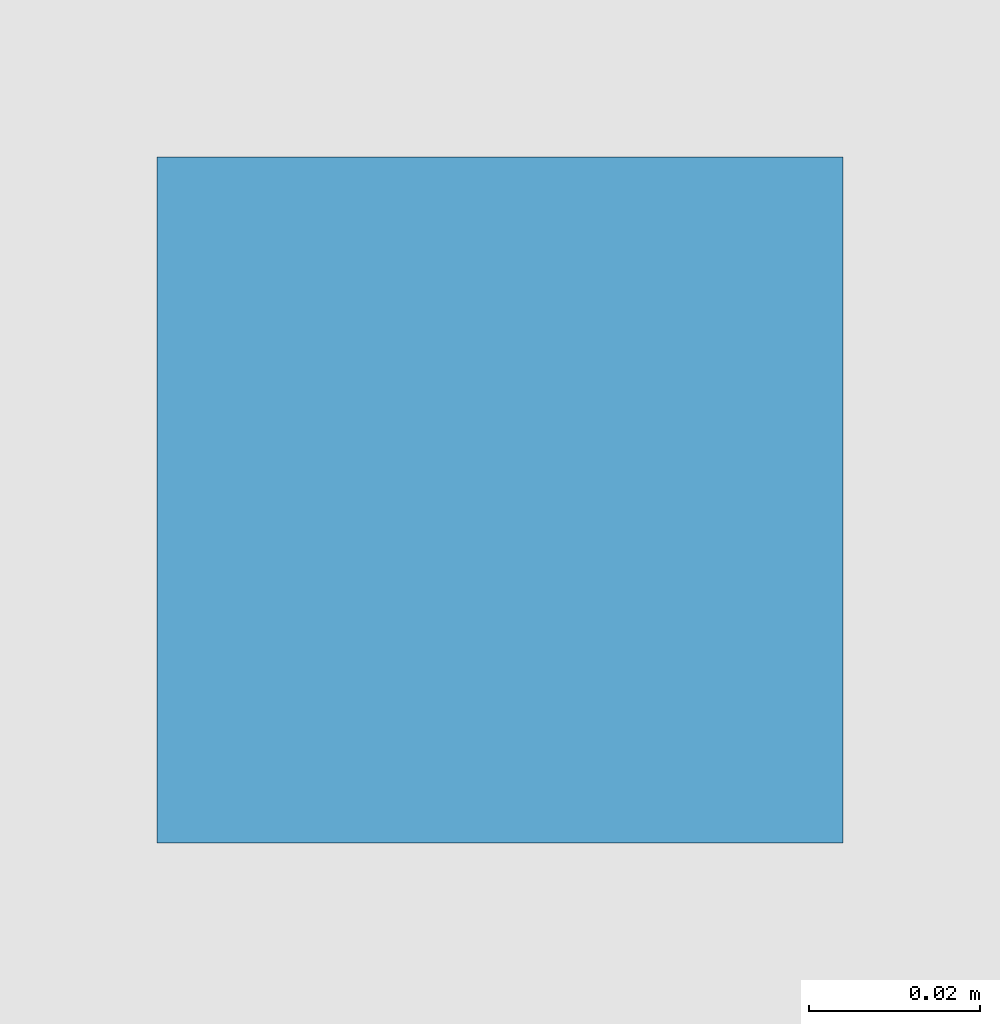
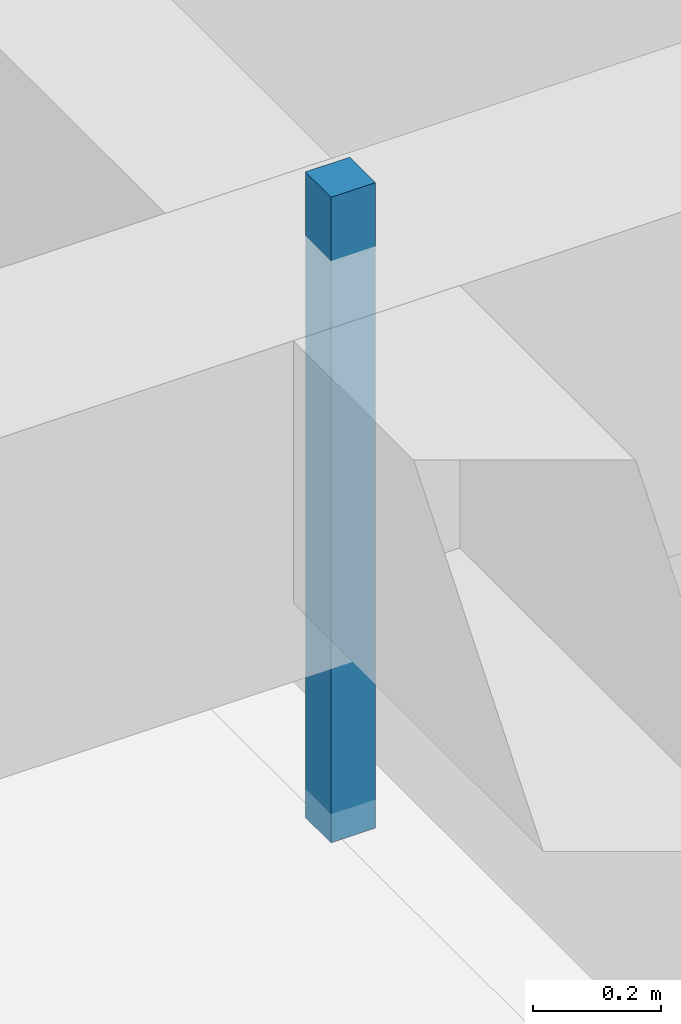
# One storey, part 147 of 163: 1 discrete accessory.
"""IFC4 building model written with IfcOpenShell, lengths in metres."""

from ifc_helpers import new_model, si_unit, direction, frame, origin, origin_2d, place, context, subcontext, project, spatial, rectangle, extrude, material, layer, layer_set, type_object, element, save


model = new_model("IFC4")

# Units and contexts
model_context = context("Model", 3, precision=1e-05, world=origin(), true_north=direction((0.0, 1.0)))
body_context = subcontext(model_context, "Body", "Model", "MODEL_VIEW")
ifc_project = project(units=[si_unit("LENGTHUNIT", "METRE"), si_unit("AREAUNIT", "SQUARE_METRE"), si_unit("VOLUMEUNIT", "CUBIC_METRE"), si_unit("PLANEANGLEUNIT", "RADIAN"), si_unit("MASSUNIT", "GRAM", prefix="KILO")], contexts=[model_context])

# Site, building, storey
site_placement = place(None, origin())
site = spatial("IfcSite", under=ifc_project, at=site_placement, CompositionType="ELEMENT")
building_placement = place(site_placement, origin())
building = spatial("IfcBuilding", under=site, at=building_placement, Name="Varnabhumi Central Station", CompositionType="ELEMENT")
storey_placement = place(building_placement, frame((0.0, 0.0, 9.60009765625)))
storey = spatial("IfcBuildingStorey", under=building, at=storey_placement, Name="L02", CompositionType="ELEMENT", Elevation=9.60009765625)

# Discrete accessory
ifc_material = material(Name="Structural steel E350", Category="steel")
ifc_layer = layer(ifc_material, 0.159912109375, Name="Structural steel E350", Category="steel")
ifc_layer_set = layer_set([ifc_layer], Name="Structural steel E350")
discrete_accessory_type = type_object("IfcDiscreteAccessoryType", Name="ACC-SHADE-BRKT", PredefinedType="BRACKET", material=ifc_layer_set)
discrete_accessory_placement = place(storey_placement, frame((124.050048828125, 89.0, 5.239990234375), z_axis=(0.0, 0.0, 1.0), x_axis=(1.0, 0.0, 0.0)))
element("IfcDiscreteAccessory", 1, at=discrete_accessory_placement, inside=storey, type_object=discrete_accessory_type, Name="Departure Food Court and Tea Pavilion Ceiling Hanger", PredefinedType="BRACKET", context=body_context, shape_type="SweptSolid", body=[
    extrude(rectangle(XDim=0.080078125, YDim=0.080078125, at=origin_2d()), origin(), (0.0, 0.0, 1.0), 1.22998046875),
])

save(model, "model.ifc")
